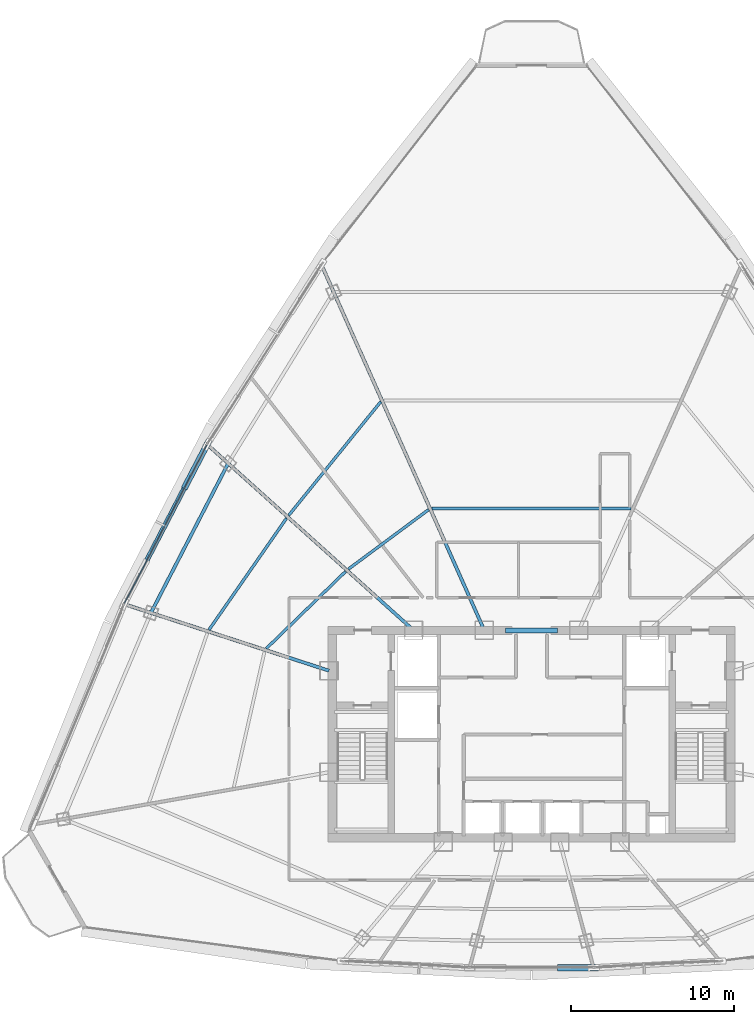
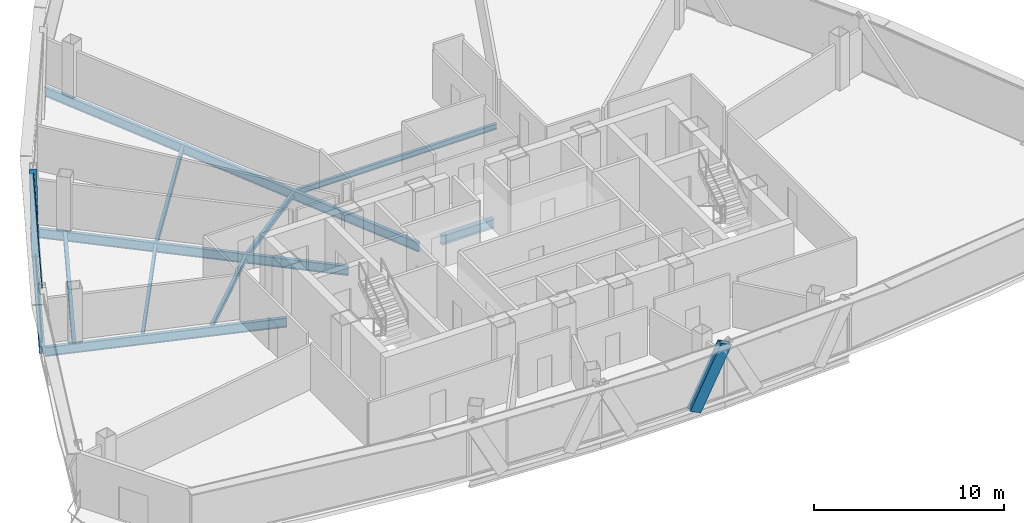
# One storey, part 9 of 35: 11 beams, 4 members, 1 element without a shape of its own.
"""IFC4 building model written with IfcOpenShell, lengths in metres."""

from ifc_helpers import new_model, si_unit, direction, frame, origin, origin_2d, place, context, subcontext, project, spatial, hollow_rectangle, i_section, extrude, source, transform, mapped, material, layer, layer_set, material_profile, profile_set, type_object, element, aggregate, save


model = new_model("IFC4")

# Units and contexts
model_context = context("Model", 3, precision=1e-05, world=origin(), true_north=direction((0.0, 1.0)))
body_context = subcontext(model_context, "Body", "Model", "MODEL_VIEW")
ifc_project = project(units=[si_unit("LENGTHUNIT", "METRE"), si_unit("AREAUNIT", "SQUARE_METRE"), si_unit("VOLUMEUNIT", "CUBIC_METRE"), si_unit("PLANEANGLEUNIT", "RADIAN"), si_unit("MASSUNIT", "GRAM", prefix="KILO"), si_unit("THERMODYNAMICTEMPERATUREUNIT", "KELVIN"), si_unit("POWERUNIT", "WATT")], contexts=[model_context])

# Site, building, storey
site_placement = place(None, origin())
site = spatial("IfcSite", under=ifc_project, at=site_placement, CompositionType="ELEMENT")
building_placement = place(site_placement, origin())
building = spatial("IfcBuilding", under=site, at=building_placement, Name="Yunzhuo Pagoda Commons", CompositionType="ELEMENT")
storey_placement = place(building_placement, frame((0.0, 0.0, 299.93994140625)))
storey = spatial("IfcBuildingStorey", under=building, at=storey_placement, Name="L75", CompositionType="ELEMENT", Elevation=299.93994140625)

# Beams
ifc_material_1 = material(Name="Structural steel Q420B", Category="steel")
ifc_material_profile_1 = material_profile(ifc_material_1, i_section(OverallWidth=0.300048828125, OverallDepth=0.587890625, WebThickness=0.011962890625, FlangeThickness=0.02001953125, at=origin_2d()), Name="Structural steel Q420B")
ifc_profile_set_1 = profile_set([ifc_material_profile_1], Name="Structural steel Q420B")
beam_type_1 = type_object("IfcBeamType", Name="B-CPL Beam HM 588x300x12x20", PredefinedType="BEAM", material=ifc_profile_set_1)
shared_shape_1 = source(origin(), body_context, "Body", "SweptSolid", [
    extrude(i_section(OverallWidth=0.300048828125, OverallDepth=0.587890625, WebThickness=0.011962890625, FlangeThickness=0.02001953125, at=origin_2d()), origin(), (0.0, 0.0, 1.0), 3.2001953125),
])
beam_1_placement = place(storey_placement, frame((46.39990234375, 40.199951171875, -0.553955078125), z_axis=(1.0, 0.0, 0.0), x_axis=(0.0, 1.0, 0.0)))
element("IfcBeam", 1, at=beam_1_placement, inside=storey, type_object=beam_type_1, Name="L75 core coupling girder", PredefinedType="BEAM", context=body_context, shape_type="MappedRepresentation", body=[
    mapped(shared_shape_1, transform((0.0, 0.0, 0.0), scale=1.0)),
])
ifc_material_2 = material(Name="Structural steel Q355B", Category="steel")
ifc_material_profile_2 = material_profile(ifc_material_2, i_section(OverallWidth=0.199951171875, OverallDepth=0.60009765625, WebThickness=0.010986328125, FlangeThickness=0.01708984375, at=origin_2d()), Name="Structural steel Q355B")
ifc_profile_set_2 = profile_set([ifc_material_profile_2], Name="Structural steel Q355B")
beam_type_2 = type_object("IfcBeamType", Name="B-RG3 Beam HN 600x200x11x17", PredefinedType="BEAM", material=ifc_profile_set_2)
shared_shape_2 = source(origin(), body_context, "Body", "SweptSolid", [
    extrude(i_section(OverallWidth=0.199951171875, OverallDepth=0.60009765625, WebThickness=0.010986328125, FlangeThickness=0.01708984375, at=origin_2d()), origin(), (0.0, 0.0, 1.0), 10.3017578125),
])
beam_2_placement = place(storey_placement, frame((29.4267578125, 50.423583984375, -0.56005859375), z_axis=(-0.459070867827, -0.888399650108, 0.0), x_axis=(0.888399650108, -0.459070867827, 0.0)))
element("IfcBeam", 2, at=beam_2_placement, inside=storey, type_object=beam_type_2, Name="L75 column-ring beam 10", PredefinedType="BEAM", context=body_context, shape_type="MappedRepresentation", body=[
    mapped(shared_shape_2, transform((0.0, 0.0, 0.0), scale=1.0)),
])
ifc_material_profile_3 = material_profile(ifc_material_2, i_section(OverallWidth=0.175048828125, OverallDepth=0.35009765625, WebThickness=0.007080078125, FlangeThickness=0.010986328125, at=origin_2d()), Name="Structural steel Q355B")
ifc_profile_set_3 = profile_set([ifc_material_profile_3], Name="Structural steel Q355B")
beam_type_3 = type_object("IfcBeamType", Name="B-JS2 Joist HN 350x175x7x11", PredefinedType="JOIST", material=ifc_profile_set_3)
shared_shape_3 = source(origin(), body_context, "Body", "SweptSolid", [
    extrude(i_section(OverallWidth=0.175048828125, OverallDepth=0.35009765625, WebThickness=0.007080078125, FlangeThickness=0.010986328125, at=origin_2d()), origin(), (0.0, 0.0, 1.0), 6.767333984375),
])
beam_3_placement = place(storey_placement, frame((36.611083984375, 43.80029296875, -0.43505859375), z_axis=(-0.717207253673, -0.696859925149, 0.0), x_axis=(0.696859925149, -0.717207253673, 0.0)))
element("IfcBeam", 3, at=beam_3_placement, inside=storey, type_object=beam_type_3, Name="L75 composite ring joist 1.10", PredefinedType="JOIST", context=body_context, shape_type="MappedRepresentation", body=[
    mapped(shared_shape_3, transform((0.0, 0.0, 0.0), scale=1.0)),
])
shared_shape_4 = source(origin(), body_context, "Body", "SweptSolid", [
    extrude(i_section(OverallWidth=0.175048828125, OverallDepth=0.35009765625, WebThickness=0.007080078125, FlangeThickness=0.010986328125, at=origin_2d()), origin(), (0.0, 0.0, 1.0), 8.31103515625),
])
beam_4_placement = place(storey_placement, frame((32.994384765625, 47.0576171875, -0.43505859375), z_axis=(-0.570615989364, -0.821217019236, 0.0), x_axis=(0.821217019236, -0.570615989364, 0.0)))
element("IfcBeam", 4, at=beam_4_placement, inside=storey, type_object=beam_type_3, Name="L75 composite ring joist 2.10", PredefinedType="JOIST", context=body_context, shape_type="MappedRepresentation", body=[
    mapped(shared_shape_4, transform((0.0, 0.0, 0.0), scale=1.0)),
])
shared_shape_5 = source(origin(), body_context, "Body", "SweptSolid", [
    extrude(i_section(OverallWidth=0.175048828125, OverallDepth=0.35009765625, WebThickness=0.007080078125, FlangeThickness=0.010986328125, at=origin_2d()), origin(), (0.0, 0.0, 1.0), 6.109619140625),
])
beam_5_placement = place(storey_placement, frame((41.6943359375, 47.5869140625, -0.43505859375), z_axis=(-0.803396474468, -0.595444459888, 0.0), x_axis=(0.595444459888, -0.803396474468, 0.0)))
element("IfcBeam", 5, at=beam_5_placement, inside=storey, type_object=beam_type_3, Name="L75 composite ring joist 1.9", PredefinedType="JOIST", context=body_context, shape_type="MappedRepresentation", body=[
    mapped(shared_shape_5, transform((0.0, 0.0, 0.0), scale=1.0)),
])
shared_shape_6 = source(origin(), body_context, "Body", "SweptSolid", [
    extrude(i_section(OverallWidth=0.175048828125, OverallDepth=0.35009765625, WebThickness=0.007080078125, FlangeThickness=0.010986328125, at=origin_2d()), origin(), (0.0, 0.0, 1.0), 8.9462890625),
])
beam_6_placement = place(storey_placement, frame((38.763916015625, 54.19287109375, -0.43505859375), z_axis=(-0.629455685791, -0.777036382434, 0.0), x_axis=(0.777036382434, -0.629455685791, 0.0)))
element("IfcBeam", 6, at=beam_6_placement, inside=storey, type_object=beam_type_3, Name="L75 composite ring joist 2.9", PredefinedType="JOIST", context=body_context, shape_type="MappedRepresentation", body=[
    mapped(shared_shape_6, transform((0.0, 0.0, 0.0), scale=1.0)),
])
shared_shape_7 = source(origin(), body_context, "Body", "SweptSolid", [
    extrude(i_section(OverallWidth=0.175048828125, OverallDepth=0.35009765625, WebThickness=0.007080078125, FlangeThickness=0.010986328125, at=origin_2d()), origin(), (0.0, 0.0, 1.0), 12.19677734375),
])
beam_7_placement = place(storey_placement, frame((54.098388671875, 47.6552734375, -0.43505859375), z_axis=(-1.0, 0.0, 0.0), x_axis=(0.0, -1.0, 0.0)))
element("IfcBeam", 7, at=beam_7_placement, inside=storey, type_object=beam_type_3, Name="L75 composite ring joist 1.8", PredefinedType="JOIST", context=body_context, shape_type="MappedRepresentation", body=[
    mapped(shared_shape_7, transform((0.0, 0.0, 0.0), scale=1.0)),
])
shared_shape_8 = source(origin(), body_context, "Body", "SweptSolid", [
    extrude(i_section(OverallWidth=0.199951171875, OverallDepth=0.60009765625, WebThickness=0.010986328125, FlangeThickness=0.01708984375, at=origin_2d()), origin(), (0.0, 0.0, 1.0), 13.040771484375),
])
beam_8_placement = place(storey_placement, frame((23.197509765625, 41.7587890625, -0.56005859375), z_axis=(0.951057866972, -0.30901283739, 0.0), x_axis=(0.30901283739, 0.951057866972, 0.0)))
element("IfcBeam", 8, at=beam_8_placement, inside=storey, type_object=beam_type_2, Name="L75 radial floor girder F3C3", PredefinedType="BEAM", context=body_context, shape_type="MappedRepresentation", body=[
    mapped(shared_shape_8, transform((0.0, 0.0, 0.0), scale=1.0)),
])
shared_shape_9 = source(origin(), body_context, "Body", "SweptSolid", [
    extrude(i_section(OverallWidth=0.199951171875, OverallDepth=0.60009765625, WebThickness=0.010986328125, FlangeThickness=0.01708984375, at=origin_2d()), origin(), (0.0, 0.0, 1.0), 16.859619140625),
])
beam_9_placement = place(storey_placement, frame((28.251953125, 51.481201171875, -0.56005859375), z_axis=(0.743143638424, -0.669131924712, 0.0), x_axis=(0.669131924712, 0.743143638424, 0.0)))
element("IfcBeam", 9, at=beam_9_placement, inside=storey, type_object=beam_type_2, Name="L75 radial floor girder F3C2", PredefinedType="BEAM", context=body_context, shape_type="MappedRepresentation", body=[
    mapped(shared_shape_9, transform((0.0, 0.0, 0.0), scale=1.0)),
])
shared_shape_10 = source(origin(), body_context, "Body", "SweptSolid", [
    extrude(i_section(OverallWidth=0.199951171875, OverallDepth=0.60009765625, WebThickness=0.010986328125, FlangeThickness=0.01708984375, at=origin_2d()), origin(), (0.0, 0.0, 1.0), 24.3583984375),
])
beam_10_placement = place(storey_placement, frame((35.198486328125, 62.452392578125, -0.56005859375), z_axis=(0.406738200999, -0.913544764009, 0.0), x_axis=(0.913544764009, 0.406738200999, 0.0)))
element("IfcBeam", 10, at=beam_10_placement, inside=storey, type_object=beam_type_2, Name="L75 radial floor girder F3C1", PredefinedType="BEAM", context=body_context, shape_type="MappedRepresentation", body=[
    mapped(shared_shape_10, transform((0.0, 0.0, 0.0), scale=1.0)),
])
ifc_material_profile_4 = material_profile(ifc_material_2, i_section(OverallWidth=0.300048828125, OverallDepth=0.43994140625, WebThickness=0.010986328125, FlangeThickness=0.01806640625, at=origin_2d()), Name="Structural steel Q355B")
ifc_profile_set_4 = profile_set([ifc_material_profile_4], Name="Structural steel Q355B")
beam_type_4 = type_object("IfcBeamType", Name="B-SP2 Beam HM 440x300x11x18", PredefinedType="BEAM", material=ifc_profile_set_4)
shared_shape_11 = source(origin(), body_context, "Body", "SweptSolid", [
    extrude(i_section(OverallWidth=0.300048828125, OverallDepth=0.43994140625, WebThickness=0.010986328125, FlangeThickness=0.01806640625, at=origin_2d()), origin(), (0.0, 0.0, 1.0), 11.022216796875),
])
beam_11_placement = place(storey_placement, frame((28.13671875, 51.5849609375, -0.47998046875), z_axis=(-0.461491516084, -0.887144622135, 0.0), x_axis=(0.887144622135, -0.461491516084, 0.0)))
element("IfcBeam", 11, at=beam_11_placement, inside=storey, type_object=beam_type_4, Name="L75 facade edge spandrel beam F3.2", PredefinedType="BEAM", context=body_context, shape_type="MappedRepresentation", body=[
    mapped(shared_shape_11, transform((0.0, 0.0, 0.0), scale=1.0)),
])

# Members
ifc_material_profile_5 = material_profile(ifc_material_2, hollow_rectangle(XDim=0.3798828125, YDim=0.719970703125, WallThickness=0.02001953125, at=origin_2d()), Name="Structural steel Q355B")
ifc_profile_set_5 = profile_set([ifc_material_profile_5], Name="Structural steel Q355B")
member_type_1 = type_object("IfcMemberType", Name="M-DL3 Brace BOX 720x380x20", PredefinedType="BRACE", material=ifc_profile_set_5)
shared_shape_12 = source(origin(), body_context, "Body", "SweptSolid", [
    extrude(hollow_rectangle(XDim=0.3798828125, YDim=0.719970703125, WallThickness=0.02001953125, at=origin_2d()), origin(), (0.0, 0.0, 1.0), 4.184326171875),
])
member_1_placement = place(storey_placement, frame((49.896240234375, 19.5458984375, -0.260009765625), z_axis=(0.453224675304, 0.0, 0.891396316851), x_axis=(0.0, 1.0, 0.0)))
element("IfcMember", 12, at=member_1_placement, inside=storey, type_object=member_type_1, Name="L75 facade diamond brace F1.2R", PredefinedType="BRACE", context=body_context, shape_type="MappedRepresentation", body=[
    mapped(shared_shape_12, transform((0.0, 0.0, 0.0), scale=1.0)),
])
shared_shape_13 = source(origin(), body_context, "Body", "SweptSolid", [
    extrude(hollow_rectangle(XDim=0.3798828125, YDim=0.719970703125, WallThickness=0.02001953125, at=origin_2d()), origin(), (0.0, 0.0, 1.0), 4.637451171875),
])
member_2_placement = place(storey_placement, frame((26.864990234375, 49.140380859375, -0.260009765625), z_axis=(0.274229639101, 0.527137910601, 0.804315689419), x_axis=(-0.887135553704, 0.461508948292, 0.0)))
element("IfcMember", 13, at=member_2_placement, inside=storey, type_object=member_type_1, Name="L75 facade diamond brace F3.2L", PredefinedType="BRACE", context=body_context, shape_type="MappedRepresentation", body=[
    mapped(shared_shape_13, transform((0.0, 0.0, 0.0), scale=1.0)),
])

# Curtain wall, members
ifc_material_3 = material(Name="Anodized aluminium 6063-T6", Category="aluminium")
ifc_layer = layer(ifc_material_3, 0.139892578125)
ifc_layer_set = layer_set([ifc_layer], Name="Anodized aluminium 6063-T6")
curtain_wall_type = type_object("IfcCurtainWallType", Name="CW-HI High-Zone Ribbon Curtain Wall", PredefinedType="NOTDEFINED", material=ifc_layer_set)
curtain_wall_placement = place(storey_placement, origin())
curtain_wall = element("IfcCurtainWall", 14, at=curtain_wall_placement, inside=storey, type_object=curtain_wall_type, Name="L75 curtain wall CW-L75-F3B3", PredefinedType="NOTDEFINED")
ifc_material_profile_6 = material_profile(ifc_material_3, hollow_rectangle(XDim=0.054931640625, YDim=0.1201171875, WallThickness=0.00341796875, at=origin_2d()), Name="Anodized aluminium 6063-T6")
ifc_profile_set_6 = profile_set([ifc_material_profile_6], Name="Anodized aluminium 6063-T6")
member_type_2 = type_object("IfcMemberType", Name="CW-HI-T Transom RHS 120x55x3.5", PredefinedType="USERDEFINED", material=ifc_profile_set_6)
shared_shape_14 = source(origin(), body_context, "Body", "SweptSolid", [
    extrude(hollow_rectangle(XDim=0.054931640625, YDim=0.1201171875, WallThickness=0.00341796875, at=origin_2d()), origin(), (0.0, 0.0, 1.0), 10.90234375),
])
member_3_placement = place(storey_placement, frame((28.109130859375, 51.53173828125, 0.027587890625), z_axis=(-0.461505732597, -0.887137226578, 0.0), x_axis=(0.887137226578, -0.461505732597, 0.0)))
member_3 = element("IfcMember", 15, at=member_3_placement, type_object=member_type_2, Name="CW transom 1.1", ObjectType="TRANSOM", PredefinedType="USERDEFINED", context=body_context, shape_type="MappedRepresentation", body=[
    mapped(shared_shape_14, transform((0.0, 0.0, 0.0), scale=1.0)),
])
member_4_placement = place(storey_placement, frame((28.109130859375, 51.53173828125, 3.442626953125), z_axis=(-0.461505732597, -0.887137226578, 0.0), x_axis=(0.887137226578, -0.461505732597, 0.0)))
member_4 = element("IfcMember", 16, at=member_4_placement, type_object=member_type_2, Name="CW transom 1.2", ObjectType="TRANSOM", PredefinedType="USERDEFINED", context=body_context, shape_type="MappedRepresentation", body=[
    mapped(shared_shape_14, transform((0.0, 0.0, 0.0), scale=1.0)),
])
aggregate(curtain_wall, [member_3, member_4])

save(model, "model.ifc")
